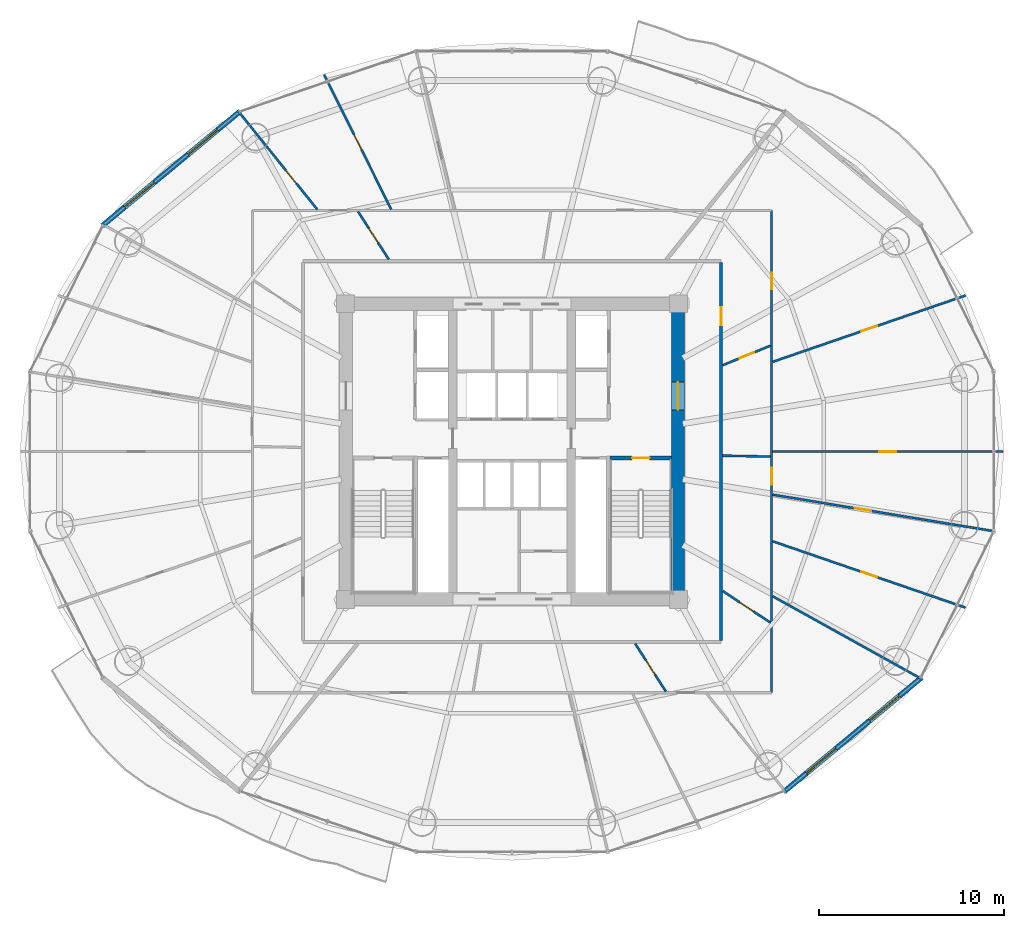
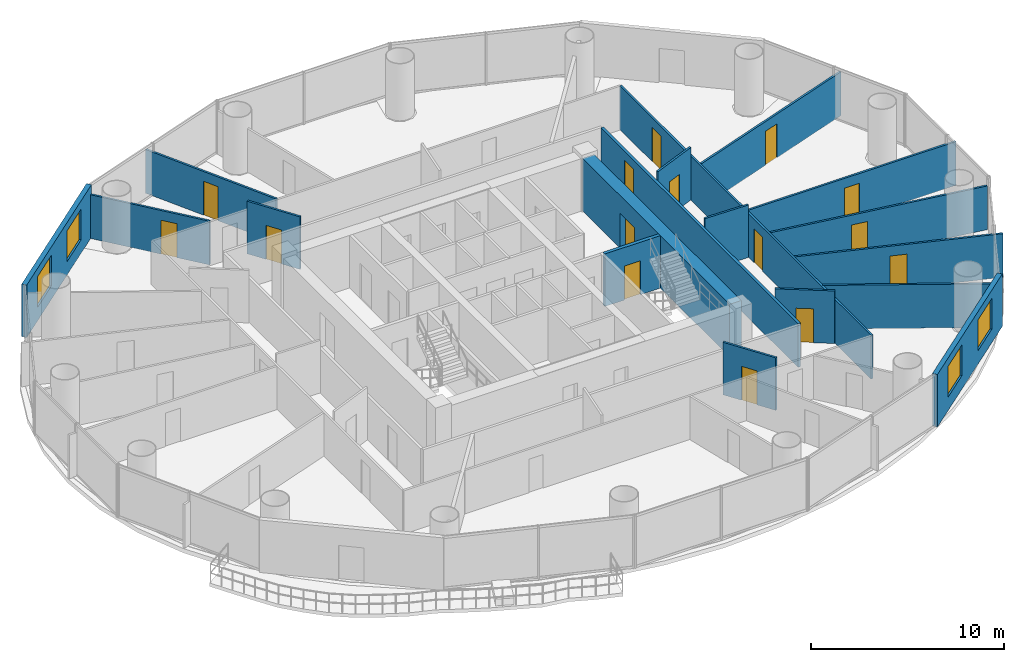
# One storey, part 24 of 29: 18 walls, 15 doors, 4 windows, 19 openings.
"""IFC4 building model written with IfcOpenShell, lengths in metres."""

from ifc_helpers import new_model, si_unit, direction, frame, frame_2d, origin, place, context, subcontext, project, spatial, rectangle, extrude, source, transform, mapped, material, layer, layer_set, type_object, element, fill, save


model = new_model("IFC4")

# Units and contexts
model_context = context("Model", 3, precision=1e-05, world=origin(), true_north=direction((-0.2419218956, 0.970295726276)))
body_context = subcontext(model_context, "Body", "Model", "MODEL_VIEW")
ifc_project = project(units=[si_unit("LENGTHUNIT", "METRE"), si_unit("AREAUNIT", "SQUARE_METRE"), si_unit("VOLUMEUNIT", "CUBIC_METRE"), si_unit("PLANEANGLEUNIT", "RADIAN"), si_unit("MASSUNIT", "GRAM", prefix="KILO")], contexts=[model_context])

# Site, building, storey
site_placement = place(None, origin())
site = spatial("IfcSite", under=ifc_project, at=site_placement, CompositionType="ELEMENT")
building_placement = place(site_placement, origin())
building = spatial("IfcBuilding", under=site, at=building_placement, Name="Cobrevalo Terracotta Tower", CompositionType="ELEMENT")
storey_placement = place(building_placement, frame((0.0, 0.0, 115.800048828125)))
storey = spatial("IfcBuildingStorey", under=building, at=storey_placement, Name="L30", CompositionType="ELEMENT", Elevation=115.800048828125)

# Wall, opening, door
ifc_material_1 = material(Name="Concrete C60", Category="concrete")
ifc_layer_1 = layer(ifc_material_1, 0.699951171875)
ifc_layer_set_1 = layer_set([ifc_layer_1], Name="Concrete C60")
wall_type_1 = type_object("IfcWallType", Name="Core shear wall 700 mm Concrete C60", PredefinedType="SHEAR", material=ifc_layer_set_1)
wall_1_placement = place(storey_placement, frame((46.97509765625, 19.175048828125, 0.0), z_axis=(0.0, 0.0, 1.0), x_axis=(0.0, 1.0, 0.0)))
wall_1 = element("IfcWall", 1, at=wall_1_placement, inside=storey, type_object=wall_type_1, Name="L30 east core shear wall", PredefinedType="SHEAR", context=body_context, shape_type="SweptSolid", body=[
    extrude(rectangle(XDim=15.25, YDim=0.699951171875, at=frame_2d((7.625, 0.0))), origin(), (0.0, 0.0, 1.0), 3.324951171875),
])
opening_1_placement = place(wall_1_placement, frame((9.875, 0.0, 0.0)))
opening_1 = element("IfcOpeningElement", 2, at=opening_1_placement, cuts=wall_1, Name="Opening ID-14", PredefinedType="OPENING", context=body_context, shape_type="SweptSolid", body=[
    extrude(rectangle(XDim=1.5, YDim=2.199951171875, at=frame_2d((0.75, 1.10009765625))), frame((0.0, 0.35986328125, 0.0), z_axis=(0.0, -1.0, 0.0), x_axis=(1.0, 0.0, 0.0)), (0.0, 0.0, 1.0), 0.719970703125),
])
ifc_material_2 = material(Name="Galvanized fire-rated steel", Category="steel")
door_type_1 = type_object("IfcDoorType", Name="Core cross-lobby double fire door 1500x2200 EI 90", OperationType="NOTDEFINED", PredefinedType="DOOR", material=ifc_material_2)
shared_shape_1 = source(origin(), body_context, "Body", "SweptSolid", [
    extrude(rectangle(XDim=1.5, YDim=2.199951171875, at=frame_2d((0.75, 1.10009765625))), frame((0.0, 0.02490234375, 0.0), z_axis=(0.0, -1.0, 0.0), x_axis=(1.0, 0.0, 0.0)), (0.0, 0.0, 1.0), 0.050048828125),
])
door_1_placement = place(opening_1_placement, frame((1.5, 0.0, 0.0), z_axis=(0.0, 0.0, 1.0), x_axis=(-1.0, 0.0, 0.0)))
door_1 = element("IfcDoor", 3, at=door_1_placement, inside=storey, type_object=door_type_1, Name="L30 east firefighting lobby entrance door", OperationType="DOUBLE_DOOR_SINGLE_SWING", OverallHeight=2.199951171875, OverallWidth=1.5, PredefinedType="DOOR", context=body_context, shape_type="MappedRepresentation", body=[
    mapped(shared_shape_1, transform((0.0, 0.0, 0.0), scale=1.0)),
])
fill(opening_1, door_1)

ifc_material_3 = material(Name="Gypsum board on steel stud", Category="steel")
ifc_layer_2 = layer(ifc_material_3, 0.159912109375)
ifc_layer_set_2 = layer_set([ifc_layer_2], Name="Gypsum board on steel stud")
wall_type_2 = type_object("IfcWallType", Name="Fire-rated corridor acoustic partition wall 160 mm", PredefinedType="PARTITIONING", material=ifc_layer_set_2)
wall_2_placement = place(storey_placement, frame((49.304931640625, 16.574951171875, 0.0), z_axis=(0.0, 0.0, 1.0), x_axis=(0.0, 1.0, 0.0)))
wall_2 = element("IfcWall", 4, at=wall_2_placement, inside=storey, type_object=wall_type_2, Name="L30 interior partition IW-L30-COR-E", PredefinedType="PARTITIONING", context=body_context, shape_type="SweptSolid", body=[
    extrude(rectangle(XDim=20.449951171875, YDim=0.159912109375, at=frame_2d((10.22509765625, 0.0))), origin(), (0.0, 0.0, 1.0), 2.766845703125),
])
opening_2_placement = place(wall_2_placement, frame((17.045654296875, 0.0, 0.0)))
opening_2 = element("IfcOpeningElement", 5, at=opening_2_placement, cuts=wall_2, Name="Opening ID-05", PredefinedType="OPENING", context=body_context, shape_type="SweptSolid", body=[
    extrude(rectangle(XDim=0.97998046875, YDim=2.199951171875, at=frame_2d((0.489990234375, 1.10009765625))), frame((0.0, 0.08984375, 0.0), z_axis=(0.0, -1.0, 0.0), x_axis=(1.0, 0.0, 0.0)), (0.0, 0.0, 1.0), 0.179931640625),
])
ifc_material_4 = material(Name="Solid hardwood timber", Category="wood")
door_type_2 = type_object("IfcDoorType", Name="Residence entrance fire-rated acoustic timber door 980x2200 EI 60", OperationType="NOTDEFINED", PredefinedType="DOOR", material=ifc_material_4)
shared_shape_2 = source(origin(), body_context, "Body", "SweptSolid", [
    extrude(rectangle(XDim=0.97998046875, YDim=2.199951171875, at=frame_2d((0.489990234375, 1.10009765625))), frame((0.0, 0.02490234375, 0.0), z_axis=(0.0, -1.0, 0.0), x_axis=(1.0, 0.0, 0.0)), (0.0, 0.0, 1.0), 0.050048828125),
])
door_2_placement = place(opening_2_placement, frame((0.97998046875, 0.0, 0.0), z_axis=(0.0, 0.0, 1.0), x_axis=(-1.0, 0.0, 0.0)))
door_2 = element("IfcDoor", 6, at=door_2_placement, inside=storey, type_object=door_type_2, Name="Flat L30B fire-rated apartment entrance door", OperationType="SINGLE_SWING_LEFT", OverallHeight=2.199951171875, OverallWidth=0.97998046875, PredefinedType="DOOR", context=body_context, shape_type="MappedRepresentation", body=[
    mapped(shared_shape_2, transform((0.0, 0.0, 0.0), scale=1.0)),
])
fill(opening_2, door_2)

# Wall, openings, windows
ifc_material_5 = material(Name="Autoclaved aerated concrete block", Category="concrete")
ifc_layer_3 = layer(ifc_material_5, 0.280029296875)
ifc_layer_set_3 = layer_set([ifc_layer_3], Name="Autoclaved aerated concrete block")
wall_type_3 = type_object("IfcWallType", Name="Insulated tower spandrel & pier wall 280 mm with terracotta rainscreen", PredefinedType="SOLIDWALL", material=ifc_layer_set_3)
wall_3_placement = place(storey_placement, frame((23.300048828125, 45.20166015625, 0.0), z_axis=(0.0, 0.0, 1.0), x_axis=(-0.769242574941, -0.638956853706, 0.0)))
wall_3 = element("IfcWall", 7, at=wall_3_placement, inside=storey, type_object=wall_type_3, Name="L30 terracotta rainscreen pier wall S06", PredefinedType="SOLIDWALL", context=body_context, shape_type="SweptSolid", body=[
    extrude(rectangle(XDim=9.68994140625, YDim=0.280029296875, at=frame_2d((4.844970703125, 0.0))), origin(), (0.0, 0.0, 1.0), 3.324951171875),
])
opening_3_placement = place(wall_3_placement, frame((1.566162109375, 0.0, 0.85009765625)))
opening_3 = element("IfcOpeningElement", 8, at=opening_3_placement, cuts=wall_3, Name="Opening WN-10", PredefinedType="OPENING", context=body_context, shape_type="SweptSolid", body=[
    extrude(rectangle(XDim=2.10009765625, YDim=1.949951171875, at=frame_2d((1.050048828125, 0.97509765625))), frame((0.0, 0.14990234375, 0.0), z_axis=(0.0, -1.0, 0.0), x_axis=(1.0, 0.0, 0.0)), (0.0, 0.0, 1.0), 0.300048828125),
])
opening_4_placement = place(wall_3_placement, frame((6.0234375, 0.0, 0.85009765625)))
opening_4 = element("IfcOpeningElement", 9, at=opening_4_placement, cuts=wall_3, Name="Opening WN-10", PredefinedType="OPENING", context=body_context, shape_type="SweptSolid", body=[
    extrude(rectangle(XDim=2.10009765625, YDim=1.949951171875, at=frame_2d((1.050048828125, 0.97509765625))), frame((0.0, 0.14990234375, 0.0), z_axis=(0.0, -1.0, 0.0), x_axis=(1.0, 0.0, 0.0)), (0.0, 0.0, 1.0), 0.300048828125),
])
ifc_material_6 = material(Name="Solar-control low-E double glazing", Category="glass")
window_type = type_object("IfcWindowType", Name="Wide panoramic low-E aluminium window 2100x1950", PartitioningType="SINGLE_PANEL", PredefinedType="WINDOW", material=ifc_material_6)
shared_shape_3 = source(origin(), body_context, "Body", "SweptSolid", [
    extrude(rectangle(XDim=2.10009765625, YDim=1.949951171875, at=frame_2d((1.050048828125, 0.97509765625))), frame((0.0, 0.030029296875, 0.0), z_axis=(0.0, -1.0, 0.0), x_axis=(1.0, 0.0, 0.0)), (0.0, 0.0, 1.0), 0.06005859375),
])
window_1_placement = place(opening_3_placement, origin())
window_1 = element("IfcWindow", 10, at=window_1_placement, inside=storey, type_object=window_type, Name="L30 suite window S06A", OverallHeight=1.949951171875, OverallWidth=2.10009765625, PartitioningType="SINGLE_PANEL", PredefinedType="WINDOW", context=body_context, shape_type="MappedRepresentation", body=[
    mapped(shared_shape_3, transform((0.0, 0.0, 0.0), scale=1.0)),
])
fill(opening_3, window_1)
window_2_placement = place(opening_4_placement, origin())
window_2 = element("IfcWindow", 11, at=window_2_placement, inside=storey, type_object=window_type, Name="L30 suite window S06B", OverallHeight=1.949951171875, OverallWidth=2.10009765625, PartitioningType="SINGLE_PANEL", PredefinedType="WINDOW", context=body_context, shape_type="MappedRepresentation", body=[
    mapped(shared_shape_3, transform((0.0, 0.0, 0.0), scale=1.0)),
])
fill(opening_4, window_2)

wall_4_placement = place(storey_placement, frame((52.699951171875, 8.3984375, 0.0), z_axis=(0.0, 0.0, 1.0), x_axis=(0.769254958887, 0.638941944333, 0.0)))
wall_4 = element("IfcWall", 12, at=wall_4_placement, inside=storey, type_object=wall_type_3, Name="L30 terracotta rainscreen pier wall S14", PredefinedType="SOLIDWALL", context=body_context, shape_type="SweptSolid", body=[
    extrude(rectangle(XDim=9.689697265625, YDim=0.280029296875, at=frame_2d((4.8447265625, 0.0))), origin(), (0.0, 0.0, 1.0), 3.324951171875),
])
opening_5_placement = place(wall_4_placement, frame((1.566162109375, 0.0, 0.85009765625)))
opening_5 = element("IfcOpeningElement", 13, at=opening_5_placement, cuts=wall_4, Name="Opening WN-10", PredefinedType="OPENING", context=body_context, shape_type="SweptSolid", body=[
    extrude(rectangle(XDim=2.10009765625, YDim=1.949951171875, at=frame_2d((1.050048828125, 0.97509765625))), frame((0.0, 0.14990234375, 0.0), z_axis=(0.0, -1.0, 0.0), x_axis=(1.0, 0.0, 0.0)), (0.0, 0.0, 1.0), 0.300048828125),
])
opening_6_placement = place(wall_4_placement, frame((6.0234375, 0.0, 0.85009765625)))
opening_6 = element("IfcOpeningElement", 14, at=opening_6_placement, cuts=wall_4, Name="Opening WN-10", PredefinedType="OPENING", context=body_context, shape_type="SweptSolid", body=[
    extrude(rectangle(XDim=2.10009765625, YDim=1.949951171875, at=frame_2d((1.050048828125, 0.97509765625))), frame((0.0, 0.14990234375, 0.0), z_axis=(0.0, -1.0, 0.0), x_axis=(1.0, 0.0, 0.0)), (0.0, 0.0, 1.0), 0.300048828125),
])
window_3_placement = place(opening_5_placement, origin())
window_3 = element("IfcWindow", 15, at=window_3_placement, inside=storey, type_object=window_type, Name="L30 suite window S14A", OverallHeight=1.949951171875, OverallWidth=2.10009765625, PartitioningType="SINGLE_PANEL", PredefinedType="WINDOW", context=body_context, shape_type="MappedRepresentation", body=[
    mapped(shared_shape_3, transform((0.0, 0.0, 0.0), scale=1.0)),
])
fill(opening_5, window_3)
window_4_placement = place(opening_6_placement, origin())
window_4 = element("IfcWindow", 16, at=window_4_placement, inside=storey, type_object=window_type, Name="L30 suite window S14B", OverallHeight=1.949951171875, OverallWidth=2.10009765625, PartitioningType="SINGLE_PANEL", PredefinedType="WINDOW", context=body_context, shape_type="MappedRepresentation", body=[
    mapped(shared_shape_3, transform((0.0, 0.0, 0.0), scale=1.0)),
])
fill(opening_6, window_4)

# Wall, opening, door
ifc_layer_4 = layer(ifc_material_3, 0.1201171875)
ifc_layer_set_4 = layer_set([ifc_layer_4], Name="Gypsum board on steel stud")
wall_type_4 = type_object("IfcWallType", Name="Residential internal acoustic stud partition 120 mm", PredefinedType="PARTITIONING", material=ifc_layer_set_4)
wall_5_placement = place(storey_placement, frame((31.4736328125, 39.890380859375, 0.0), z_axis=(0.0, 0.0, 1.0), x_axis=(-0.446167584581, 0.894949432353, 0.0)))
wall_5 = element("IfcWall", 17, at=wall_5_placement, inside=storey, type_object=wall_type_4, Name="L30 interior partition IW-L30-U1-ORAD2M1", PredefinedType="PARTITIONING", context=body_context, shape_type="SweptSolid", body=[
    extrude(rectangle(XDim=8.124755859375, YDim=0.1201171875, at=frame_2d((4.0625, 0.0))), origin(), (0.0, 0.0, 1.0), 2.766845703125),
])
opening_7_placement = place(wall_5_placement, frame((3.6123046875, 0.0, 0.0)))
opening_7 = element("IfcOpeningElement", 18, at=opening_7_placement, cuts=wall_5, Name="Opening ID-12", PredefinedType="OPENING", context=body_context, shape_type="SweptSolid", body=[
    extrude(rectangle(XDim=0.89990234375, YDim=2.14990234375, at=frame_2d((0.449951171875, 1.074951171875))), frame((0.0, 0.070068359375, 0.0), z_axis=(0.0, -1.0, 0.0), x_axis=(1.0, 0.0, 0.0)), (0.0, 0.0, 1.0), 0.14013671875),
])
ifc_material_7 = material(Name="Engineered timber", Category="wood")
door_type_3 = type_object("IfcDoorType", Name="Internal residence & suite timber door 900x2150", OperationType="NOTDEFINED", PredefinedType="DOOR", material=ifc_material_7)
shared_shape_4 = source(origin(), body_context, "Body", "SweptSolid", [
    extrude(rectangle(XDim=0.89990234375, YDim=2.14990234375, at=frame_2d((0.449951171875, 1.074951171875))), frame((0.0, 0.02490234375, 0.0), z_axis=(0.0, -1.0, 0.0), x_axis=(1.0, 0.0, 0.0)), (0.0, 0.0, 1.0), 0.050048828125),
])
door_3_placement = place(opening_7_placement, frame((0.89990234375, 0.0, 0.0), z_axis=(0.0, 0.0, 1.0), x_axis=(-1.0, 0.0, 0.0)))
door_3 = element("IfcDoor", 19, at=door_3_placement, inside=storey, type_object=door_type_3, Name="Flat L30A Master Bedroom internal door", OperationType="SINGLE_SWING_RIGHT", OverallHeight=2.14990234375, OverallWidth=0.89990234375, PredefinedType="DOOR", context=body_context, shape_type="MappedRepresentation", body=[
    mapped(shared_shape_4, transform((0.0, 0.0, 0.0), scale=1.0)),
])
fill(opening_7, door_3)

wall_6_placement = place(storey_placement, frame((27.47802734375, 39.88330078125, 0.0), z_axis=(0.0, 0.0, 1.0), x_axis=(-0.62672583251, 0.779239841682, 0.0)))
wall_6 = element("IfcWall", 20, at=wall_6_placement, inside=storey, type_object=wall_type_4, Name="L30 interior partition IW-L30-U1-ORAD2", PredefinedType="PARTITIONING", context=body_context, shape_type="SweptSolid", body=[
    extrude(rectangle(XDim=6.678466796875, YDim=0.1201171875, at=frame_2d((3.33935546875, 0.0))), origin(), (0.0, 0.0, 1.0), 2.766845703125),
])
opening_8_placement = place(wall_6_placement, frame((1.8212890625, 0.0, 0.0)))
opening_8 = element("IfcOpeningElement", 21, at=opening_8_placement, cuts=wall_6, Name="Opening ID-12", PredefinedType="OPENING", context=body_context, shape_type="SweptSolid", body=[
    extrude(rectangle(XDim=0.89990234375, YDim=2.14990234375, at=frame_2d((0.449951171875, 1.074951171875))), frame((0.0, 0.070068359375, 0.0), z_axis=(0.0, -1.0, 0.0), x_axis=(1.0, 0.0, 0.0)), (0.0, 0.0, 1.0), 0.14013671875),
])
door_4_placement = place(opening_8_placement, origin())
door_4 = element("IfcDoor", 22, at=door_4_placement, inside=storey, type_object=door_type_3, Name="Flat L30A Principal Guest Bedroom internal door", OperationType="SINGLE_SWING_LEFT", OverallHeight=2.14990234375, OverallWidth=0.89990234375, PredefinedType="DOOR", context=body_context, shape_type="MappedRepresentation", body=[
    mapped(shared_shape_4, transform((0.0, 0.0, 0.0), scale=1.0)),
])
fill(opening_8, door_4)

wall_7_placement = place(storey_placement, frame((31.33984375, 37.18505859375, 0.0), z_axis=(0.0, 0.0, 1.0), x_axis=(-0.539861631895, 0.841753775405, 0.0)))
wall_7 = element("IfcWall", 23, at=wall_7_placement, inside=storey, type_object=wall_type_4, Name="L30 interior partition IW-L30-U1-IRAD2", PredefinedType="PARTITIONING", context=body_context, shape_type="SweptSolid", body=[
    extrude(rectangle(XDim=3.0859375, YDim=0.1201171875, at=frame_2d((1.54296875, 0.0))), origin(), (0.0, 0.0, 1.0), 3.324951171875),
])
opening_9_placement = place(wall_7_placement, frame((1.093017578125, 0.0, 0.0)))
opening_9 = element("IfcOpeningElement", 24, at=opening_9_placement, cuts=wall_7, Name="Opening ID-12", PredefinedType="OPENING", context=body_context, shape_type="SweptSolid", body=[
    extrude(rectangle(XDim=0.89990234375, YDim=2.14990234375, at=frame_2d((0.449951171875, 1.074951171875))), frame((0.0, 0.070068359375, 0.0), z_axis=(0.0, -1.0, 0.0), x_axis=(1.0, 0.0, 0.0)), (0.0, 0.0, 1.0), 0.14013671875),
])
door_5_placement = place(opening_9_placement, frame((0.89990234375, 0.0, 0.0), z_axis=(0.0, 0.0, 1.0), x_axis=(-1.0, 0.0, 0.0)))
door_5 = element("IfcDoor", 25, at=door_5_placement, inside=storey, type_object=door_type_3, Name="Flat L30A Utility Closet internal door", OperationType="SINGLE_SWING_LEFT", OverallHeight=2.14990234375, OverallWidth=0.89990234375, PredefinedType="DOOR", context=body_context, shape_type="MappedRepresentation", body=[
    mapped(shared_shape_4, transform((0.0, 0.0, 0.0), scale=1.0)),
])
fill(opening_9, door_5)

# Wall, openings, doors
wall_8_placement = place(storey_placement, frame((52.034912109375, 39.8349609375, 0.0), z_axis=(0.0, 0.0, 1.0), x_axis=(0.0, -1.0, 0.0)))
wall_8 = element("IfcWall", 26, at=wall_8_placement, inside=storey, type_object=wall_type_4, Name="L30 interior partition IW-L30-U2-RING1_0", PredefinedType="PARTITIONING", context=body_context, shape_type="SweptSolid", body=[
    extrude(rectangle(XDim=26.070068359375, YDim=0.1201171875, at=frame_2d((13.03515625, 0.0))), origin(), (0.0, 0.0, 1.0), 2.766845703125),
])
opening_10_placement = place(wall_8_placement, frame((3.362060546875, 0.0, 0.0)))
opening_10 = element("IfcOpeningElement", 27, at=opening_10_placement, cuts=wall_8, Name="Opening ID-12", PredefinedType="OPENING", context=body_context, shape_type="SweptSolid", body=[
    extrude(rectangle(XDim=0.89990234375, YDim=2.14990234375, at=frame_2d((0.449951171875, 1.074951171875))), frame((0.0, 0.070068359375, 0.0), z_axis=(0.0, -1.0, 0.0), x_axis=(1.0, 0.0, 0.0)), (0.0, 0.0, 1.0), 0.14013671875),
])
opening_11_placement = place(wall_8_placement, frame((13.923583984375, 0.0, 0.0)))
opening_11 = element("IfcOpeningElement", 28, at=opening_11_placement, cuts=wall_8, Name="Opening ID-12", PredefinedType="OPENING", context=body_context, shape_type="SweptSolid", body=[
    extrude(rectangle(XDim=0.89990234375, YDim=2.14990234375, at=frame_2d((0.449951171875, 1.074951171875))), frame((0.0, 0.070068359375, 0.0), z_axis=(0.0, -1.0, 0.0), x_axis=(1.0, 0.0, 0.0)), (0.0, 0.0, 1.0), 0.14013671875),
])
door_6_placement = place(opening_10_placement, origin())
door_6 = element("IfcDoor", 29, at=door_6_placement, inside=storey, type_object=door_type_3, Name="Flat L30B Private Cinema Room internal door", OperationType="SINGLE_SWING_LEFT", OverallHeight=2.14990234375, OverallWidth=0.89990234375, PredefinedType="DOOR", context=body_context, shape_type="MappedRepresentation", body=[
    mapped(shared_shape_4, transform((0.0, 0.0, 0.0), scale=1.0)),
])
fill(opening_10, door_6)
door_7_placement = place(opening_11_placement, frame((0.89990234375, 0.0, 0.0), z_axis=(0.0, 0.0, 1.0), x_axis=(-1.0, 0.0, 0.0)))
door_7 = element("IfcDoor", 30, at=door_7_placement, inside=storey, type_object=door_type_3, Name="Flat L30B Kitchen internal door", OperationType="SINGLE_SWING_RIGHT", OverallHeight=2.14990234375, OverallWidth=0.89990234375, PredefinedType="DOOR", context=body_context, shape_type="MappedRepresentation", body=[
    mapped(shared_shape_4, transform((0.0, 0.0, 0.0), scale=1.0)),
])
fill(opening_11, door_7)

# Wall
wall_9_placement = place(storey_placement, frame((52.089111328125, 18.978515625, 0.0), z_axis=(0.0, 0.0, 1.0), x_axis=(0.874313476423, -0.485361664066, 0.0)))
element("IfcWall", 31, at=wall_9_placement, inside=storey, type_object=wall_type_4, Name="L30 interior partition IW-L30-U2-ORAD3", PredefinedType="PARTITIONING", context=body_context, shape_type="SweptSolid", body=[
    extrude(rectangle(XDim=9.065673828125, YDim=0.1201171875, at=frame_2d((4.53271484375, 0.0))), origin(), (0.0, 0.0, 1.0), 2.766845703125),
])

# Wall, opening, door
wall_10_placement = place(storey_placement, frame((52.09375, 21.94970703125, 0.0), z_axis=(0.0, 0.0, 1.0), x_axis=(0.945573120726, -0.32540970078, 0.0)))
wall_10 = element("IfcWall", 32, at=wall_10_placement, inside=storey, type_object=wall_type_4, Name="L30 interior partition IW-L30-U2-ORAD4M1", PredefinedType="PARTITIONING", context=body_context, shape_type="SweptSolid", body=[
    extrude(rectangle(XDim=11.02197265625, YDim=0.1201171875, at=frame_2d((5.510986328125, 0.0))), origin(), (0.0, 0.0, 1.0), 2.766845703125),
])
opening_12_placement = place(wall_10_placement, frame((5.06103515625, 0.0, 0.0)))
opening_12 = element("IfcOpeningElement", 33, at=opening_12_placement, cuts=wall_10, Name="Opening ID-12", PredefinedType="OPENING", context=body_context, shape_type="SweptSolid", body=[
    extrude(rectangle(XDim=0.89990234375, YDim=2.14990234375, at=frame_2d((0.449951171875, 1.074951171875))), frame((0.0, 0.070068359375, 0.0), z_axis=(0.0, -1.0, 0.0), x_axis=(1.0, 0.0, 0.0)), (0.0, 0.0, 1.0), 0.14013671875),
])
door_8_placement = place(opening_12_placement, frame((0.89990234375, 0.0, 0.0), z_axis=(0.0, 0.0, 1.0), x_axis=(-1.0, 0.0, 0.0)))
door_8 = element("IfcDoor", 34, at=door_8_placement, inside=storey, type_object=door_type_3, Name="Flat L30B South Bedroom internal door", OperationType="SINGLE_SWING_LEFT", OverallHeight=2.14990234375, OverallWidth=0.89990234375, PredefinedType="DOOR", context=body_context, shape_type="MappedRepresentation", body=[
    mapped(shared_shape_4, transform((0.0, 0.0, 0.0), scale=1.0)),
])
fill(opening_12, door_8)

wall_11_placement = place(storey_placement, frame((52.09619140625, 24.470458984375, 0.0), z_axis=(0.0, 0.0, 1.0), x_axis=(0.986618264768, -0.163047231274, 0.0)))
wall_11 = element("IfcWall", 35, at=wall_11_placement, inside=storey, type_object=wall_type_4, Name="L30 interior partition IW-L30-U2-ORAD4M2", PredefinedType="PARTITIONING", context=body_context, shape_type="SweptSolid", body=[
    extrude(rectangle(XDim=12.038818359375, YDim=0.1201171875, at=frame_2d((6.01953125, 0.0))), origin(), (0.0, 0.0, 1.0), 2.766845703125),
])
opening_13_placement = place(wall_11_placement, frame((4.496337890625, 0.0, 0.0)))
opening_13 = element("IfcOpeningElement", 36, at=opening_13_placement, cuts=wall_11, Name="Opening ID-12", PredefinedType="OPENING", context=body_context, shape_type="SweptSolid", body=[
    extrude(rectangle(XDim=0.89990234375, YDim=2.14990234375, at=frame_2d((0.449951171875, 1.074951171875))), frame((0.0, 0.070068359375, 0.0), z_axis=(0.0, -1.0, 0.0), x_axis=(1.0, 0.0, 0.0)), (0.0, 0.0, 1.0), 0.14013671875),
])
door_9_placement = place(opening_13_placement, frame((0.89990234375, 0.0, 0.0), z_axis=(0.0, 0.0, 1.0), x_axis=(-1.0, 0.0, 0.0)))
door_9 = element("IfcDoor", 37, at=door_9_placement, inside=storey, type_object=door_type_3, Name="Flat L30B Penthouse Family Lounge internal door", OperationType="SINGLE_SWING_LEFT", OverallHeight=2.14990234375, OverallWidth=0.89990234375, PredefinedType="DOOR", context=body_context, shape_type="MappedRepresentation", body=[
    mapped(shared_shape_4, transform((0.0, 0.0, 0.0), scale=1.0)),
])
fill(opening_13, door_9)

wall_12_placement = place(storey_placement, frame((52.096923828125, 26.800048828125, 0.0), z_axis=(0.0, 0.0, 1.0), x_axis=(1.0, 0.0, 0.0)))
wall_12 = element("IfcWall", 38, at=wall_12_placement, inside=storey, type_object=wall_type_4, Name="L30 interior partition IW-L30-U2-ORAD4", PredefinedType="PARTITIONING", context=body_context, shape_type="SweptSolid", body=[
    extrude(rectangle(XDim=12.443115234375, YDim=0.1201171875, at=frame_2d((6.2216796875, 0.0))), origin(), (0.0, 0.0, 1.0), 2.766845703125),
])
opening_14_placement = place(wall_12_placement, frame((5.771484375, 0.0, 0.0)))
opening_14 = element("IfcOpeningElement", 39, at=opening_14_placement, cuts=wall_12, Name="Opening ID-12", PredefinedType="OPENING", context=body_context, shape_type="SweptSolid", body=[
    extrude(rectangle(XDim=0.89990234375, YDim=2.14990234375, at=frame_2d((0.449951171875, 1.074951171875))), frame((0.0, 0.070068359375, 0.0), z_axis=(0.0, -1.0, 0.0), x_axis=(1.0, 0.0, 0.0)), (0.0, 0.0, 1.0), 0.14013671875),
])
door_10_placement = place(opening_14_placement, frame((0.89990234375, 0.0, 0.0), z_axis=(0.0, 0.0, 1.0), x_axis=(-1.0, 0.0, 0.0)))
door_10 = element("IfcDoor", 40, at=door_10_placement, inside=storey, type_object=door_type_3, Name="Flat L30B Penthouse Family Lounge internal door", OperationType="SINGLE_SWING_LEFT", OverallHeight=2.14990234375, OverallWidth=0.89990234375, PredefinedType="DOOR", context=body_context, shape_type="MappedRepresentation", body=[
    mapped(shared_shape_4, transform((0.0, 0.0, 0.0), scale=1.0)),
])
fill(opening_14, door_10)

wall_13_placement = place(storey_placement, frame((52.09375, 31.650146484375, 0.0), z_axis=(0.0, 0.0, 1.0), x_axis=(0.945573120726, 0.32540970078, 0.0)))
wall_13 = element("IfcWall", 41, at=wall_13_placement, inside=storey, type_object=wall_type_4, Name="L30 interior partition IW-L30-U2-ORAD5", PredefinedType="PARTITIONING", context=body_context, shape_type="SweptSolid", body=[
    extrude(rectangle(XDim=11.02197265625, YDim=0.1201171875, at=frame_2d((5.510986328125, 0.0))), origin(), (0.0, 0.0, 1.0), 2.766845703125),
])
opening_15_placement = place(wall_13_placement, frame((5.06103515625, 0.0, 0.0)))
opening_15 = element("IfcOpeningElement", 42, at=opening_15_placement, cuts=wall_13, Name="Opening ID-12", PredefinedType="OPENING", context=body_context, shape_type="SweptSolid", body=[
    extrude(rectangle(XDim=0.89990234375, YDim=2.14990234375, at=frame_2d((0.449951171875, 1.074951171875))), frame((0.0, 0.070068359375, 0.0), z_axis=(0.0, -1.0, 0.0), x_axis=(1.0, 0.0, 0.0)), (0.0, 0.0, 1.0), 0.14013671875),
])
door_11_placement = place(opening_15_placement, frame((0.89990234375, 0.0, 0.0), z_axis=(0.0, 0.0, 1.0), x_axis=(-1.0, 0.0, 0.0)))
door_11 = element("IfcDoor", 43, at=door_11_placement, inside=storey, type_object=door_type_3, Name="Flat L30B Penthouse Family Lounge internal door", OperationType="SINGLE_SWING_RIGHT", OverallHeight=2.14990234375, OverallWidth=0.89990234375, PredefinedType="DOOR", context=body_context, shape_type="MappedRepresentation", body=[
    mapped(shared_shape_4, transform((0.0, 0.0, 0.0), scale=1.0)),
])
fill(opening_15, door_11)

wall_14_placement = place(storey_placement, frame((44.66015625, 16.4150390625, 0.0), z_axis=(0.0, 0.0, 1.0), x_axis=(0.539825682796, -0.841776830397, 0.0)))
wall_14 = element("IfcWall", 44, at=wall_14_placement, inside=storey, type_object=wall_type_4, Name="L30 interior partition IW-L30-U2-IRAD2", PredefinedType="PARTITIONING", context=body_context, shape_type="SweptSolid", body=[
    extrude(rectangle(XDim=3.086181640625, YDim=0.1201171875, at=frame_2d((1.54296875, 0.0))), origin(), (0.0, 0.0, 1.0), 3.324951171875),
])
opening_16_placement = place(wall_14_placement, frame((1.093017578125, 0.0, 0.0)))
opening_16 = element("IfcOpeningElement", 45, at=opening_16_placement, cuts=wall_14, Name="Opening ID-12", PredefinedType="OPENING", context=body_context, shape_type="SweptSolid", body=[
    extrude(rectangle(XDim=0.89990234375, YDim=2.14990234375, at=frame_2d((0.449951171875, 1.074951171875))), frame((0.0, 0.070068359375, 0.0), z_axis=(0.0, -1.0, 0.0), x_axis=(1.0, 0.0, 0.0)), (0.0, 0.0, 1.0), 0.14013671875),
])
door_12_placement = place(opening_16_placement, frame((0.89990234375, 0.0, 0.0), z_axis=(0.0, 0.0, 1.0), x_axis=(-1.0, 0.0, 0.0)))
door_12 = element("IfcDoor", 46, at=door_12_placement, inside=storey, type_object=door_type_3, Name="Flat L30B Utility Closet internal door", OperationType="SINGLE_SWING_RIGHT", OverallHeight=2.14990234375, OverallWidth=0.89990234375, PredefinedType="DOOR", context=body_context, shape_type="MappedRepresentation", body=[
    mapped(shared_shape_4, transform((0.0, 0.0, 0.0), scale=1.0)),
])
fill(opening_16, door_12)

wall_15_placement = place(storey_placement, frame((49.38671875, 19.261474609375, 0.0), z_axis=(0.0, 0.0, 1.0), x_axis=(0.833806969544, -0.552056099993, 0.0)))
wall_15 = element("IfcWall", 47, at=wall_15_placement, inside=storey, type_object=wall_type_4, Name="L30 interior partition IW-L30-U2-IRAD3", PredefinedType="PARTITIONING", context=body_context, shape_type="SweptSolid", body=[
    extrude(rectangle(XDim=3.1142578125, YDim=0.1201171875, at=frame_2d((1.55712890625, 0.0))), origin(), (0.0, 0.0, 1.0), 3.324951171875),
])
opening_17_placement = place(wall_15_placement, frame((1.107177734375, 0.0, 0.0)))
opening_17 = element("IfcOpeningElement", 48, at=opening_17_placement, cuts=wall_15, Name="Opening ID-12", PredefinedType="OPENING", context=body_context, shape_type="SweptSolid", body=[
    extrude(rectangle(XDim=0.89990234375, YDim=2.14990234375, at=frame_2d((0.449951171875, 1.074951171875))), frame((0.0, 0.070068359375, 0.0), z_axis=(0.0, -1.0, 0.0), x_axis=(1.0, 0.0, 0.0)), (0.0, 0.0, 1.0), 0.14013671875),
])
door_13_placement = place(opening_17_placement, frame((0.89990234375, 0.0, 0.0), z_axis=(0.0, 0.0, 1.0), x_axis=(-1.0, 0.0, 0.0)))
door_13 = element("IfcDoor", 49, at=door_13_placement, inside=storey, type_object=door_type_3, Name="Flat L30B Private Wellness Room internal door", OperationType="SINGLE_SWING_RIGHT", OverallHeight=2.14990234375, OverallWidth=0.89990234375, PredefinedType="DOOR", context=body_context, shape_type="MappedRepresentation", body=[
    mapped(shared_shape_4, transform((0.0, 0.0, 0.0), scale=1.0)),
])
fill(opening_17, door_13)

# Wall
wall_16_placement = place(storey_placement, frame((49.386962890625, 26.5771484375, 0.0), z_axis=(0.0, 0.0, 1.0), x_axis=(0.999807240787, -0.019633676934, 0.0)))
element("IfcWall", 50, at=wall_16_placement, inside=storey, type_object=wall_type_4, Name="L30 interior partition IW-L30-U2-IRAD4", PredefinedType="PARTITIONING", context=body_context, shape_type="SweptSolid", body=[
    extrude(rectangle(XDim=2.58642578125, YDim=0.1201171875, at=frame_2d((1.293212890625, 0.0))), origin(), (0.0, 0.0, 1.0), 3.324951171875),
])

# Wall, opening, door
wall_17_placement = place(storey_placement, frame((49.386962890625, 31.46533203125, 0.0), z_axis=(0.0, 0.0, 1.0), x_axis=(0.925328713836, 0.37916588896, 0.0)))
wall_17 = element("IfcWall", 51, at=wall_17_placement, inside=storey, type_object=wall_type_4, Name="L30 interior partition IW-L30-U2-IRAD5", PredefinedType="PARTITIONING", context=body_context, shape_type="SweptSolid", body=[
    extrude(rectangle(XDim=2.799560546875, YDim=0.1201171875, at=frame_2d((1.39990234375, 0.0))), origin(), (0.0, 0.0, 1.0), 3.324951171875),
])
opening_18_placement = place(wall_17_placement, frame((0.969970703125, 0.0, 0.0)))
opening_18 = element("IfcOpeningElement", 52, at=opening_18_placement, cuts=wall_17, Name="Opening ID-19", PredefinedType="OPENING", context=body_context, shape_type="SweptSolid", body=[
    extrude(rectangle(XDim=0.860107421875, YDim=2.14990234375, at=frame_2d((0.43017578125, 1.074951171875))), frame((0.0, 0.070068359375, 0.0), z_axis=(0.0, -1.0, 0.0), x_axis=(1.0, 0.0, 0.0)), (0.0, 0.0, 1.0), 0.14013671875),
])
ifc_material_8 = material(Name="Moisture-sealed timber", Category="wood")
door_type_4 = type_object("IfcDoorType", Name="Suite bathroom internal timber door 860x2150", OperationType="NOTDEFINED", PredefinedType="DOOR", material=ifc_material_8)
shared_shape_5 = source(origin(), body_context, "Body", "SweptSolid", [
    extrude(rectangle(XDim=0.860107421875, YDim=2.14990234375, at=frame_2d((0.43017578125, 1.074951171875))), frame((0.0, 0.02490234375, 0.0), z_axis=(0.0, -1.0, 0.0), x_axis=(1.0, 0.0, 0.0)), (0.0, 0.0, 1.0), 0.050048828125),
])
door_14_placement = place(opening_18_placement, frame((0.860107421875, 0.0, 0.0), z_axis=(0.0, 0.0, 1.0), x_axis=(-1.0, 0.0, 0.0)))
door_14 = element("IfcDoor", 53, at=door_14_placement, inside=storey, type_object=door_type_4, Name="Flat L30B Primary Bathroom internal door", OperationType="SINGLE_SWING_RIGHT", OverallHeight=2.14990234375, OverallWidth=0.860107421875, PredefinedType="DOOR", context=body_context, shape_type="MappedRepresentation", body=[
    mapped(shared_shape_5, transform((0.0, 0.0, 0.0), scale=1.0)),
])
fill(opening_18, door_14)

ifc_material_9 = material(Name="Concrete C50", Category="concrete")
ifc_layer_5 = layer(ifc_material_9, 0.199951171875)
ifc_layer_set_5 = layer_set([ifc_layer_5], Name="Concrete C50")
wall_type_5 = type_object("IfcWallType", Name="Structural core & podium stair-shaft RC wall 200 mm Concrete C50", PredefinedType="SOLIDWALL", material=ifc_layer_set_5)
wall_18_placement = place(storey_placement, frame((43.304931640625, 26.449951171875, 0.0), z_axis=(0.0, 0.0, 1.0), x_axis=(1.0, 0.0, 0.0)))
wall_18 = element("IfcWall", 54, at=wall_18_placement, inside=storey, type_object=wall_type_5, Name="L30 ST-2 north structural shaft wall", PredefinedType="SOLIDWALL", context=body_context, shape_type="SweptSolid", body=[
    extrude(rectangle(XDim=3.320068359375, YDim=0.199951171875, at=frame_2d((1.66015625, 0.0))), origin(), (0.0, 0.0, 1.0), 3.324951171875),
])
opening_19_placement = place(wall_18_placement, frame((1.18505859375, 0.0, 0.0)))
opening_19 = element("IfcOpeningElement", 55, at=opening_19_placement, cuts=wall_18, Name="Opening ID-04", PredefinedType="OPENING", context=body_context, shape_type="SweptSolid", body=[
    extrude(rectangle(XDim=0.949951171875, YDim=2.14990234375, at=frame_2d((0.47509765625, 1.074951171875))), frame((0.0, 0.10986328125, 0.0), z_axis=(0.0, -1.0, 0.0), x_axis=(1.0, 0.0, 0.0)), (0.0, 0.0, 1.0), 0.219970703125),
])
door_type_5 = type_object("IfcDoorType", Name="Stair & firefighting lobby fire door 950x2150 EI 90", OperationType="NOTDEFINED", PredefinedType="DOOR", material=ifc_material_2)
shared_shape_6 = source(origin(), body_context, "Body", "SweptSolid", [
    extrude(rectangle(XDim=0.949951171875, YDim=2.14990234375, at=frame_2d((0.47509765625, 1.074951171875))), frame((0.0, 0.02490234375, 0.0), z_axis=(0.0, -1.0, 0.0), x_axis=(1.0, 0.0, 0.0)), (0.0, 0.0, 1.0), 0.050048828125),
])
door_15_placement = place(opening_19_placement, frame((0.949951171875, 0.0, 0.0), z_axis=(0.0, 0.0, 1.0), x_axis=(-1.0, 0.0, 0.0)))
door_15 = element("IfcDoor", 56, at=door_15_placement, inside=storey, type_object=door_type_5, Name="L30 protected stair ST2 fire door", OperationType="SINGLE_SWING_RIGHT", OverallHeight=2.14990234375, OverallWidth=0.949951171875, PredefinedType="DOOR", context=body_context, shape_type="MappedRepresentation", body=[
    mapped(shared_shape_6, transform((0.0, 0.0, 0.0), scale=1.0)),
])
fill(opening_19, door_15)

save(model, "model.ifc")
